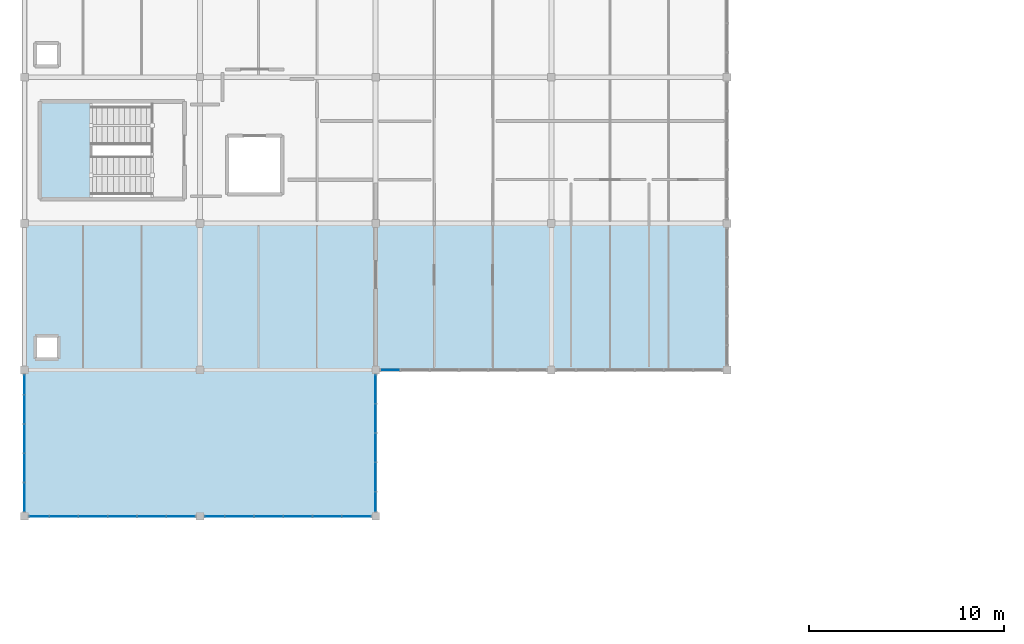
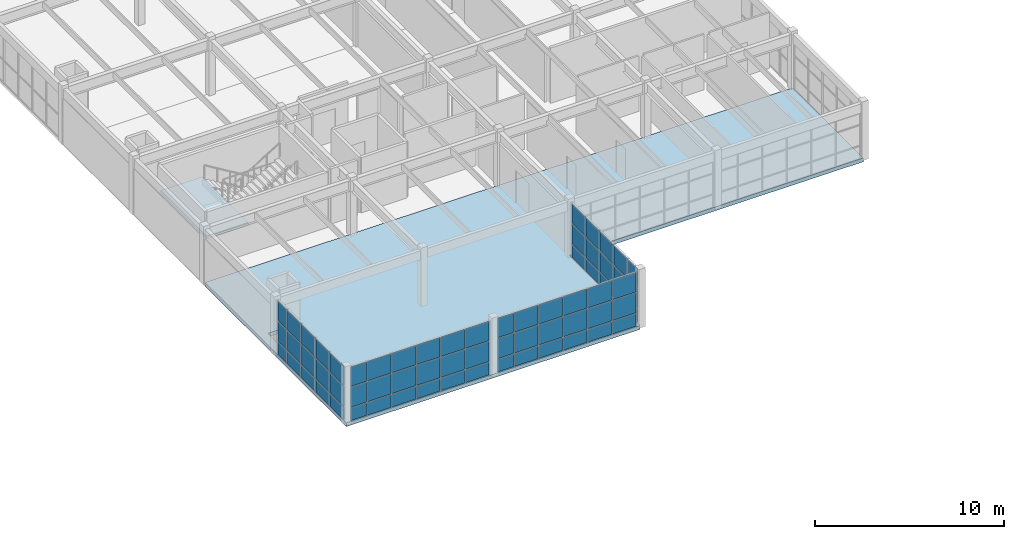
# One storey, part 56 of 81: 67 plates, 2 slabs, 6 elements without a shape of their own.
"""IFC4 building model written with IfcOpenShell, lengths in metres."""

import ifcopenshell
import ifcopenshell.guid

model = None  # the IFC model being written
_history = None  # IfcOwnerHistory: only IFC2X3 demands one
_inside = {}  # id of a spatial element -> (the spatial element, [elements in it])
_under = {}  # id of a project, library or spatial element -> (it, [spatial elements below it])
_declared = {}  # id of a project -> (the project, [libraries it declares])
_typed = {}  # id of a type object -> (the type object, [elements of that type])
_made_of = {}  # id of a material, layer set ... -> (it, [elements and type objects made of it])


def new_model(schema):
    """Start an empty IFC model of exactly this schema.

    Asked for "IFC4X3", IfcOpenShell would pick the latest addendum, in which some entities
    have other attributes; the version numbers below select the first issue.
    IFC2X3 requires an IfcOwnerHistory on every rooted entity: one is made here for all.
    """
    global model, _history
    if schema == "IFC4X3":
        model = ifcopenshell.file(schema_version=(4, 3, 0, 0))
    else:
        model = ifcopenshell.file(schema=schema)
    _inside.clear()
    _under.clear()
    _declared.clear()
    _typed.clear()
    _made_of.clear()
    _history = None
    if model.schema == "IFC2X3":
        org = make("IfcOrganization", Name="unknown")
        user = make(
            "IfcPersonAndOrganization",
            ThePerson=make("IfcPerson", FamilyName="unknown"),
            TheOrganization=org,
        )
        app = make(
            "IfcApplication",
            ApplicationDeveloper=org,
            Version="unknown",
            ApplicationFullName="unknown",
            ApplicationIdentifier="unknown",
        )
        _history = make(
            "IfcOwnerHistory",
            OwningUser=user,
            OwningApplication=app,
            ChangeAction="ADDED",
            CreationDate=0,
        )
    return model


def make(cls, **values):
    """One entity of the class cls with the attributes given. An attribute that is None is left unset."""
    return model.create_entity(
        cls, **{name: value for name, value in values.items() if value is not None}
    )


def rooted(cls, **values):
    """An entity with a GlobalId (a new one), such as an element, a storey or a relation."""
    return make(cls, GlobalId=ifcopenshell.guid.new(), OwnerHistory=_history, **values)


def si_unit(unit_type, name, prefix=None):
    """IfcSIUnit, for example si_unit("LENGTHUNIT", "METRE", prefix="MILLI")."""
    return make("IfcSIUnit", UnitType=unit_type, Prefix=prefix, Name=name)


def assignment(units):
    """IfcUnitAssignment: the units of a project."""
    return None if units is None else make("IfcUnitAssignment", Units=units)


def point(xyz):
    """IfcCartesianPoint."""
    return None if xyz is None else make("IfcCartesianPoint", Coordinates=xyz)


def direction(xyz):
    """IfcDirection."""
    return None if xyz is None else make("IfcDirection", DirectionRatios=xyz)


def frame(location, z_axis=None, x_axis=None):
    """IfcAxis2Placement3D, a coordinate frame: its origin and axes. An axis left out is left unset."""
    return make(
        "IfcAxis2Placement3D",
        Location=point(location),
        Axis=direction(z_axis),
        RefDirection=direction(x_axis),
    )


def frame_2d(location, x_axis=None):
    """IfcAxis2Placement2D, a coordinate frame in the plane: its origin and x axis."""
    return make(
        "IfcAxis2Placement2D", Location=point(location), RefDirection=direction(x_axis)
    )


def origin():
    """The frame at (0, 0, 0) with its axes left unset."""
    return frame((0.0, 0.0, 0.0))


def origin_2d():
    """The frame at (0, 0) in the plane with its x axis left unset."""
    return frame_2d((0.0, 0.0))


def place(relative_to, where):
    """IfcLocalPlacement: puts the frame where relative to a parent placement (None: the world)."""
    return make(
        "IfcLocalPlacement", PlacementRelTo=relative_to, RelativePlacement=where
    )


def context(
    kind, dimensions, precision=None, world=None, true_north=None, identifier=None
):
    """IfcGeometricRepresentationContext, for example the 3D "Model" context."""
    return make(
        "IfcGeometricRepresentationContext",
        ContextIdentifier=identifier,
        ContextType=kind,
        CoordinateSpaceDimension=dimensions,
        Precision=precision,
        WorldCoordinateSystem=world,
        TrueNorth=true_north,
    )


def subcontext(parent, identifier, kind, view, scale=None):
    """IfcGeometricRepresentationSubContext, for example "Body" below "Model"."""
    return make(
        "IfcGeometricRepresentationSubContext",
        ContextIdentifier=identifier,
        ContextType=kind,
        ParentContext=parent,
        TargetScale=scale,
        TargetView=view,
    )


def project(units=None, contexts=None):
    """IfcProject with its units and contexts."""
    return rooted(
        "IfcProject",
        Name="project",
        RepresentationContexts=contexts,
        UnitsInContext=assignment(units),
    )


def spatial(cls, under=None, at=None, **own):
    """A site, building, storey or space (cls), placed at a placement, below another one or the project."""
    s = rooted(cls, ObjectPlacement=at, **own)
    if under is not None:
        _under.setdefault(under.id(), (under, []))[1].append(s)
    return s


def polyline(points):
    """IfcPolyline through the points."""
    return make("IfcPolyline", Points=[point(p) for p in points])


def profile(cls, at=None, kind="AREA", **sizes):
    """A parametric profile (cls). Its sizes go by their IFC names, for example OverallWidth=200.0."""
    return make(cls, ProfileType=kind, Position=at, **sizes)


def rectangle(**sizes):
    """IfcRectangleProfileDef."""
    return profile("IfcRectangleProfileDef", **sizes)


def outline(outer, holes=None, kind="AREA"):
    """IfcArbitraryClosedProfileDef: a profile drawn as a closed curve; with holes, ...WithVoids."""
    if holes is None:
        return make("IfcArbitraryClosedProfileDef", ProfileType=kind, OuterCurve=outer)
    return make(
        "IfcArbitraryProfileDefWithVoids",
        ProfileType=kind,
        OuterCurve=outer,
        InnerCurves=holes,
    )


def extrude(swept, where, along, depth):
    """IfcExtrudedAreaSolid: the profile swept, set in the frame where, extruded along a direction by depth."""
    return make(
        "IfcExtrudedAreaSolid",
        SweptArea=swept,
        Position=where,
        ExtrudedDirection=direction(along),
        Depth=depth,
    )


def shape(context_of_items, identifier, shape_type, items):
    """IfcShapeRepresentation: the items that make up one representation, for example the "Body"."""
    return make(
        "IfcShapeRepresentation",
        ContextOfItems=context_of_items,
        RepresentationIdentifier=identifier,
        RepresentationType=shape_type,
        Items=items,
    )


def material(Name=None, Category=None):
    """IfcMaterial."""
    return make("IfcMaterial", Name=Name, Category=Category)


def layer(
    of_material, thickness, ventilated=None, Name=None, Category=None, Priority=None
):
    """IfcMaterialLayer: one layer of a wall or slab, of a material (None: an air gap)."""
    return make(
        "IfcMaterialLayer",
        Material=of_material,
        LayerThickness=thickness,
        IsVentilated=ventilated,
        Name=Name,
        Category=Category,
        Priority=Priority,
    )


def layer_set(layers, Name=None):
    """IfcMaterialLayerSet."""
    return make("IfcMaterialLayerSet", MaterialLayers=layers, LayerSetName=Name)


def made_of(thing, what):
    """Note that an element or type object is made of a material, layer set ...; save() writes the relation."""
    if what is not None:
        _made_of.setdefault(what.id(), (what, []))[1].append(thing)
    return thing


def type_object(cls, material=None, **own):
    """A type object (cls), such as IfcWallType, which elements share."""
    return made_of(rooted(cls, **own), material)


def element(
    cls,
    number,
    at=None,
    inside=None,
    cuts=None,
    type_object=None,
    material=None,
    context=None,
    identifier="Body",
    shape_type=None,
    held_by="IfcProductDefinitionShape",
    body=None,
    shapes=None,
    **own,
):
    """One element of the class cls, such as IfcWall. Its Tag is "e" and its number.

    at: its placement. inside: the storey or other place that contains it. cuts: it is an
    opening in that element (IfcRelVoidsElement). A single representation is given by context,
    identifier, shape_type and body (its items); several are given by shapes. held_by: the class
    of the entity that holds the representations. save() writes the other relations.
    """
    e = rooted(cls, Tag="e%d" % number, ObjectPlacement=at, **own)
    if body is not None:
        shapes = [shape(context, identifier, shape_type, body)]
    if shapes is not None:
        e.Representation = make(held_by, Representations=shapes)
    if inside is not None:
        _inside.setdefault(inside.id(), (inside, []))[1].append(e)
    if cuts is not None:
        rooted(
            "IfcRelVoidsElement", RelatingBuildingElement=cuts, RelatedOpeningElement=e
        )
    if type_object is not None:
        _typed.setdefault(type_object.id(), (type_object, []))[1].append(e)
    return made_of(e, material)


def aggregate(whole, parts):
    """IfcRelAggregates: a whole, such as a stair, and the parts it consists of."""
    return rooted("IfcRelAggregates", RelatingObject=whole, RelatedObjects=parts)


def save(model, path):
    """Write the relations noted so far, then the file.

    IfcRelAggregates (storeys below a building ...), IfcRelContainedInSpatialStructure (elements
    in a storey), IfcRelDefinesByType, IfcRelAssociatesMaterial and IfcRelDeclares: one each for
    every whole, place, type object, material and project.
    """
    for whole, parts in _under.values():
        aggregate(whole, parts)
    for where, things in _inside.values():
        rooted(
            "IfcRelContainedInSpatialStructure",
            RelatedElements=things,
            RelatingStructure=where,
        )
    for kind, things in _typed.values():
        rooted("IfcRelDefinesByType", RelatedObjects=things, RelatingType=kind)
    for what, things in _made_of.values():
        rooted("IfcRelAssociatesMaterial", RelatedObjects=things, RelatingMaterial=what)
    for by, libraries in _declared.values():
        rooted("IfcRelDeclares", RelatingContext=by, RelatedDefinitions=libraries)
    model.write(path)


model = new_model("IFC4")

# Units and contexts
model_context = context("Model", 3, precision=1e-05, world=origin(), true_north=direction((0.0, 1.0)))
body_context = subcontext(model_context, "Body", "Model", "MODEL_VIEW")
ifc_project = project(units=[si_unit("LENGTHUNIT", "METRE"), si_unit("AREAUNIT", "SQUARE_METRE"), si_unit("VOLUMEUNIT", "CUBIC_METRE"), si_unit("PLANEANGLEUNIT", "RADIAN"), si_unit("MASSUNIT", "GRAM", prefix="KILO")], contexts=[model_context])

# Site, building, storey
site_placement = place(None, origin())
site = spatial("IfcSite", under=ifc_project, at=site_placement, CompositionType="ELEMENT")
building_placement = place(site_placement, origin())
building = spatial("IfcBuilding", under=site, at=building_placement, Name="Marnridge Secondary College", CompositionType="ELEMENT")
storey_placement = place(building_placement, frame((0.0, 0.0, 8.5)))
storey = spatial("IfcBuildingStorey", under=building, at=storey_placement, Name="L02", CompositionType="ELEMENT", Elevation=8.5)

# Curtain wall, plate
ifc_material_1 = material(Name="Thermally broken aluminium and low-E glazing", Category="aluminium")
ifc_layer_1 = layer(ifc_material_1, 0.159912109375)
ifc_layer_set_1 = layer_set([ifc_layer_1], Name="CW-MOD-1500")
curtain_wall_type = type_object("IfcCurtainWallType", Name="CW-MOD-1500", PredefinedType="NOTDEFINED", material=ifc_layer_set_1)
curtain_wall_1_placement = place(storey_placement, origin())
curtain_wall_1 = element("IfcCurtainWall", 1, at=curtain_wall_1_placement, inside=storey, type_object=curtain_wall_type, Name="Unitised curtain wall CW-L02-093", PredefinedType="NOTDEFINED")
ifc_material_2 = material(Name="Double-glazed low-E argon unit", Category="glass")
ifc_layer_2 = layer(ifc_material_2, 0.028076171875)
ifc_layer_set_2 = layer_set([ifc_layer_2], Name="CWP-GLZ28")
plate_type = type_object("IfcPlateType", Name="CWP-GLZ28", PredefinedType="CURTAIN_PANEL", material=ifc_layer_set_2)
plate_1_placement = place(storey_placement, frame((18.75, 82.5, 0.06005859375), z_axis=(0.0, 0.0, 1.0), x_axis=(-1.0, 0.0, 0.0)))
plate_1 = element("IfcPlate", 2, at=plate_1_placement, type_object=plate_type, Name="CW-L02-093 panel 6.1", PredefinedType="CURTAIN_PANEL", context=body_context, shape_type="SweptSolid", body=[
    extrude(rectangle(XDim=0.971923828125, YDim=0.028076171875, at=origin_2d()), origin(), (0.0, 0.0, 1.0), 0.81005859375),
])
aggregate(curtain_wall_1, [plate_1])

# Curtain wall, plates
curtain_wall_2_placement = place(storey_placement, origin())
curtain_wall_2 = element("IfcCurtainWall", 3, at=curtain_wall_2_placement, inside=storey, type_object=curtain_wall_type, Name="Unitised curtain wall CW-L02-094", PredefinedType="NOTDEFINED")
plate_2_placement = place(storey_placement, frame((18.0, 81.51611328125, 0.06005859375), z_axis=(0.0, 0.0, 1.0), x_axis=(0.0, -1.0, 0.0)))
plate_2 = element("IfcPlate", 4, at=plate_2_placement, type_object=plate_type, Name="CW-L02-094 panel 1.1", PredefinedType="CURTAIN_PANEL", context=body_context, shape_type="SweptSolid", body=[
    extrude(rectangle(XDim=1.43994140625, YDim=0.028076171875, at=origin_2d()), origin(), (0.0, 0.0, 1.0), 0.81005859375),
])
plate_3_placement = place(storey_placement, frame((18.0, 81.51611328125, 0.929931640625), z_axis=(0.0, 0.0, 1.0), x_axis=(0.0, -1.0, 0.0)))
plate_3 = element("IfcPlate", 5, at=plate_3_placement, type_object=plate_type, Name="CW-L02-094 panel 1.2", PredefinedType="CURTAIN_PANEL", context=body_context, shape_type="SweptSolid", body=[
    extrude(rectangle(XDim=1.43994140625, YDim=0.028076171875, at=origin_2d()), origin(), (0.0, 0.0, 1.0), 1.2900390625),
])
plate_4_placement = place(storey_placement, frame((18.0, 81.51611328125, 2.27978515625), z_axis=(0.0, 0.0, 1.0), x_axis=(0.0, -1.0, 0.0)))
plate_4 = element("IfcPlate", 6, at=plate_4_placement, type_object=plate_type, Name="CW-L02-094 panel 1.3", PredefinedType="CURTAIN_PANEL", context=body_context, shape_type="SweptSolid", body=[
    extrude(rectangle(XDim=1.43994140625, YDim=0.028076171875, at=origin_2d()), origin(), (0.0, 0.0, 1.0), 1.239990234375),
])
plate_5_placement = place(storey_placement, frame((18.0, 80.01611328125, 0.06005859375), z_axis=(0.0, 0.0, 1.0), x_axis=(0.0, -1.0, 0.0)))
plate_5 = element("IfcPlate", 7, at=plate_5_placement, type_object=plate_type, Name="CW-L02-094 panel 2.1", PredefinedType="CURTAIN_PANEL", context=body_context, shape_type="SweptSolid", body=[
    extrude(rectangle(XDim=1.43994140625, YDim=0.028076171875, at=origin_2d()), origin(), (0.0, 0.0, 1.0), 0.81005859375),
])
plate_6_placement = place(storey_placement, frame((18.0, 80.01611328125, 0.929931640625), z_axis=(0.0, 0.0, 1.0), x_axis=(0.0, -1.0, 0.0)))
plate_6 = element("IfcPlate", 8, at=plate_6_placement, type_object=plate_type, Name="CW-L02-094 panel 2.2", PredefinedType="CURTAIN_PANEL", context=body_context, shape_type="SweptSolid", body=[
    extrude(rectangle(XDim=1.43994140625, YDim=0.028076171875, at=origin_2d()), origin(), (0.0, 0.0, 1.0), 1.2900390625),
])
plate_7_placement = place(storey_placement, frame((18.0, 80.01611328125, 2.27978515625), z_axis=(0.0, 0.0, 1.0), x_axis=(0.0, -1.0, 0.0)))
plate_7 = element("IfcPlate", 9, at=plate_7_placement, type_object=plate_type, Name="CW-L02-094 panel 2.3", PredefinedType="CURTAIN_PANEL", context=body_context, shape_type="SweptSolid", body=[
    extrude(rectangle(XDim=1.43994140625, YDim=0.028076171875, at=origin_2d()), origin(), (0.0, 0.0, 1.0), 1.239990234375),
])
plate_8_placement = place(storey_placement, frame((18.0, 78.51611328125, 0.06005859375), z_axis=(0.0, 0.0, 1.0), x_axis=(0.0, -1.0, 0.0)))
plate_8 = element("IfcPlate", 10, at=plate_8_placement, type_object=plate_type, Name="CW-L02-094 panel 3.1", PredefinedType="CURTAIN_PANEL", context=body_context, shape_type="SweptSolid", body=[
    extrude(rectangle(XDim=1.43994140625, YDim=0.028076171875, at=origin_2d()), origin(), (0.0, 0.0, 1.0), 0.81005859375),
])
plate_9_placement = place(storey_placement, frame((18.0, 78.51611328125, 0.929931640625), z_axis=(0.0, 0.0, 1.0), x_axis=(0.0, -1.0, 0.0)))
plate_9 = element("IfcPlate", 11, at=plate_9_placement, type_object=plate_type, Name="CW-L02-094 panel 3.2", PredefinedType="CURTAIN_PANEL", context=body_context, shape_type="SweptSolid", body=[
    extrude(rectangle(XDim=1.43994140625, YDim=0.028076171875, at=origin_2d()), origin(), (0.0, 0.0, 1.0), 1.2900390625),
])
plate_10_placement = place(storey_placement, frame((18.0, 78.51611328125, 2.27978515625), z_axis=(0.0, 0.0, 1.0), x_axis=(0.0, -1.0, 0.0)))
plate_10 = element("IfcPlate", 12, at=plate_10_placement, type_object=plate_type, Name="CW-L02-094 panel 3.3", PredefinedType="CURTAIN_PANEL", context=body_context, shape_type="SweptSolid", body=[
    extrude(rectangle(XDim=1.43994140625, YDim=0.028076171875, at=origin_2d()), origin(), (0.0, 0.0, 1.0), 1.239990234375),
])
plate_11_placement = place(storey_placement, frame((18.0, 77.01611328125, 0.06005859375), z_axis=(0.0, 0.0, 1.0), x_axis=(0.0, -1.0, 0.0)))
plate_11 = element("IfcPlate", 13, at=plate_11_placement, type_object=plate_type, Name="CW-L02-094 panel 4.1", PredefinedType="CURTAIN_PANEL", context=body_context, shape_type="SweptSolid", body=[
    extrude(rectangle(XDim=1.43994140625, YDim=0.028076171875, at=origin_2d()), origin(), (0.0, 0.0, 1.0), 0.81005859375),
])
plate_12_placement = place(storey_placement, frame((18.0, 77.01611328125, 0.929931640625), z_axis=(0.0, 0.0, 1.0), x_axis=(0.0, -1.0, 0.0)))
plate_12 = element("IfcPlate", 14, at=plate_12_placement, type_object=plate_type, Name="CW-L02-094 panel 4.2", PredefinedType="CURTAIN_PANEL", context=body_context, shape_type="SweptSolid", body=[
    extrude(rectangle(XDim=1.43994140625, YDim=0.028076171875, at=origin_2d()), origin(), (0.0, 0.0, 1.0), 1.2900390625),
])
plate_13_placement = place(storey_placement, frame((18.0, 77.01611328125, 2.27978515625), z_axis=(0.0, 0.0, 1.0), x_axis=(0.0, -1.0, 0.0)))
plate_13 = element("IfcPlate", 15, at=plate_13_placement, type_object=plate_type, Name="CW-L02-094 panel 4.3", PredefinedType="CURTAIN_PANEL", context=body_context, shape_type="SweptSolid", body=[
    extrude(rectangle(XDim=1.43994140625, YDim=0.028076171875, at=origin_2d()), origin(), (0.0, 0.0, 1.0), 1.239990234375),
])
plate_14_placement = place(storey_placement, frame((18.0, 75.75, 0.06005859375), z_axis=(0.0, 0.0, 1.0), x_axis=(0.0, -1.0, 0.0)))
plate_14 = element("IfcPlate", 16, at=plate_14_placement, type_object=plate_type, Name="CW-L02-094 panel 5.1", PredefinedType="CURTAIN_PANEL", context=body_context, shape_type="SweptSolid", body=[
    extrude(rectangle(XDim=0.971923828125, YDim=0.028076171875, at=origin_2d()), origin(), (0.0, 0.0, 1.0), 0.81005859375),
])
plate_15_placement = place(storey_placement, frame((18.0, 75.75, 0.929931640625), z_axis=(0.0, 0.0, 1.0), x_axis=(0.0, -1.0, 0.0)))
plate_15 = element("IfcPlate", 17, at=plate_15_placement, type_object=plate_type, Name="CW-L02-094 panel 5.2", PredefinedType="CURTAIN_PANEL", context=body_context, shape_type="SweptSolid", body=[
    extrude(rectangle(XDim=0.971923828125, YDim=0.028076171875, at=origin_2d()), origin(), (0.0, 0.0, 1.0), 1.2900390625),
])
plate_16_placement = place(storey_placement, frame((18.0, 75.75, 2.27978515625), z_axis=(0.0, 0.0, 1.0), x_axis=(0.0, -1.0, 0.0)))
plate_16 = element("IfcPlate", 18, at=plate_16_placement, type_object=plate_type, Name="CW-L02-094 panel 5.3", PredefinedType="CURTAIN_PANEL", context=body_context, shape_type="SweptSolid", body=[
    extrude(rectangle(XDim=0.971923828125, YDim=0.028076171875, at=origin_2d()), origin(), (0.0, 0.0, 1.0), 1.239990234375),
])
aggregate(curtain_wall_2, [plate_2, plate_3, plate_4, plate_5, plate_6, plate_7, plate_8, plate_9, plate_10, plate_11, plate_12, plate_13, plate_14, plate_15, plate_16])

curtain_wall_3_placement = place(storey_placement, origin())
curtain_wall_3 = element("IfcCurtainWall", 19, at=curtain_wall_3_placement, inside=storey, type_object=curtain_wall_type, Name="Unitised curtain wall CW-L02-095", PredefinedType="NOTDEFINED")
plate_17_placement = place(storey_placement, frame((17.01611328125, 75.0, 0.06005859375), z_axis=(0.0, 0.0, 1.0), x_axis=(-1.0, 0.0, 0.0)))
plate_17 = element("IfcPlate", 20, at=plate_17_placement, type_object=plate_type, Name="CW-L02-095 panel 1.1", PredefinedType="CURTAIN_PANEL", context=body_context, shape_type="SweptSolid", body=[
    extrude(rectangle(XDim=1.43994140625, YDim=0.028076171875, at=origin_2d()), origin(), (0.0, 0.0, 1.0), 0.81005859375),
])
plate_18_placement = place(storey_placement, frame((17.01611328125, 75.0, 0.929931640625), z_axis=(0.0, 0.0, 1.0), x_axis=(-1.0, 0.0, 0.0)))
plate_18 = element("IfcPlate", 21, at=plate_18_placement, type_object=plate_type, Name="CW-L02-095 panel 1.2", PredefinedType="CURTAIN_PANEL", context=body_context, shape_type="SweptSolid", body=[
    extrude(rectangle(XDim=1.43994140625, YDim=0.028076171875, at=origin_2d()), origin(), (0.0, 0.0, 1.0), 1.2900390625),
])
plate_19_placement = place(storey_placement, frame((17.01611328125, 75.0, 2.27978515625), z_axis=(0.0, 0.0, 1.0), x_axis=(-1.0, 0.0, 0.0)))
plate_19 = element("IfcPlate", 22, at=plate_19_placement, type_object=plate_type, Name="CW-L02-095 panel 1.3", PredefinedType="CURTAIN_PANEL", context=body_context, shape_type="SweptSolid", body=[
    extrude(rectangle(XDim=1.43994140625, YDim=0.028076171875, at=origin_2d()), origin(), (0.0, 0.0, 1.0), 1.239990234375),
])
plate_20_placement = place(storey_placement, frame((15.51611328125, 75.0, 0.06005859375), z_axis=(0.0, 0.0, 1.0), x_axis=(-1.0, 0.0, 0.0)))
plate_20 = element("IfcPlate", 23, at=plate_20_placement, type_object=plate_type, Name="CW-L02-095 panel 2.1", PredefinedType="CURTAIN_PANEL", context=body_context, shape_type="SweptSolid", body=[
    extrude(rectangle(XDim=1.43994140625, YDim=0.028076171875, at=origin_2d()), origin(), (0.0, 0.0, 1.0), 0.81005859375),
])
plate_21_placement = place(storey_placement, frame((15.51611328125, 75.0, 0.929931640625), z_axis=(0.0, 0.0, 1.0), x_axis=(-1.0, 0.0, 0.0)))
plate_21 = element("IfcPlate", 24, at=plate_21_placement, type_object=plate_type, Name="CW-L02-095 panel 2.2", PredefinedType="CURTAIN_PANEL", context=body_context, shape_type="SweptSolid", body=[
    extrude(rectangle(XDim=1.43994140625, YDim=0.028076171875, at=origin_2d()), origin(), (0.0, 0.0, 1.0), 1.2900390625),
])
plate_22_placement = place(storey_placement, frame((15.51611328125, 75.0, 2.27978515625), z_axis=(0.0, 0.0, 1.0), x_axis=(-1.0, 0.0, 0.0)))
plate_22 = element("IfcPlate", 25, at=plate_22_placement, type_object=plate_type, Name="CW-L02-095 panel 2.3", PredefinedType="CURTAIN_PANEL", context=body_context, shape_type="SweptSolid", body=[
    extrude(rectangle(XDim=1.43994140625, YDim=0.028076171875, at=origin_2d()), origin(), (0.0, 0.0, 1.0), 1.239990234375),
])
plate_23_placement = place(storey_placement, frame((14.01611328125, 75.0, 0.06005859375), z_axis=(0.0, 0.0, 1.0), x_axis=(-1.0, 0.0, 0.0)))
plate_23 = element("IfcPlate", 26, at=plate_23_placement, type_object=plate_type, Name="CW-L02-095 panel 3.1", PredefinedType="CURTAIN_PANEL", context=body_context, shape_type="SweptSolid", body=[
    extrude(rectangle(XDim=1.43994140625, YDim=0.028076171875, at=origin_2d()), origin(), (0.0, 0.0, 1.0), 0.81005859375),
])
plate_24_placement = place(storey_placement, frame((14.01611328125, 75.0, 0.929931640625), z_axis=(0.0, 0.0, 1.0), x_axis=(-1.0, 0.0, 0.0)))
plate_24 = element("IfcPlate", 27, at=plate_24_placement, type_object=plate_type, Name="CW-L02-095 panel 3.2", PredefinedType="CURTAIN_PANEL", context=body_context, shape_type="SweptSolid", body=[
    extrude(rectangle(XDim=1.43994140625, YDim=0.028076171875, at=origin_2d()), origin(), (0.0, 0.0, 1.0), 1.2900390625),
])
plate_25_placement = place(storey_placement, frame((14.01611328125, 75.0, 2.27978515625), z_axis=(0.0, 0.0, 1.0), x_axis=(-1.0, 0.0, 0.0)))
plate_25 = element("IfcPlate", 28, at=plate_25_placement, type_object=plate_type, Name="CW-L02-095 panel 3.3", PredefinedType="CURTAIN_PANEL", context=body_context, shape_type="SweptSolid", body=[
    extrude(rectangle(XDim=1.43994140625, YDim=0.028076171875, at=origin_2d()), origin(), (0.0, 0.0, 1.0), 1.239990234375),
])
plate_26_placement = place(storey_placement, frame((12.51611328125, 75.0, 0.06005859375), z_axis=(0.0, 0.0, 1.0), x_axis=(-1.0, 0.0, 0.0)))
plate_26 = element("IfcPlate", 29, at=plate_26_placement, type_object=plate_type, Name="CW-L02-095 panel 4.1", PredefinedType="CURTAIN_PANEL", context=body_context, shape_type="SweptSolid", body=[
    extrude(rectangle(XDim=1.43994140625, YDim=0.028076171875, at=origin_2d()), origin(), (0.0, 0.0, 1.0), 0.81005859375),
])
plate_27_placement = place(storey_placement, frame((12.51611328125, 75.0, 0.929931640625), z_axis=(0.0, 0.0, 1.0), x_axis=(-1.0, 0.0, 0.0)))
plate_27 = element("IfcPlate", 30, at=plate_27_placement, type_object=plate_type, Name="CW-L02-095 panel 4.2", PredefinedType="CURTAIN_PANEL", context=body_context, shape_type="SweptSolid", body=[
    extrude(rectangle(XDim=1.43994140625, YDim=0.028076171875, at=origin_2d()), origin(), (0.0, 0.0, 1.0), 1.2900390625),
])
plate_28_placement = place(storey_placement, frame((12.51611328125, 75.0, 2.27978515625), z_axis=(0.0, 0.0, 1.0), x_axis=(-1.0, 0.0, 0.0)))
plate_28 = element("IfcPlate", 31, at=plate_28_placement, type_object=plate_type, Name="CW-L02-095 panel 4.3", PredefinedType="CURTAIN_PANEL", context=body_context, shape_type="SweptSolid", body=[
    extrude(rectangle(XDim=1.43994140625, YDim=0.028076171875, at=origin_2d()), origin(), (0.0, 0.0, 1.0), 1.239990234375),
])
plate_29_placement = place(storey_placement, frame((11.01611328125, 75.0, 0.06005859375), z_axis=(0.0, 0.0, 1.0), x_axis=(-1.0, 0.0, 0.0)))
plate_29 = element("IfcPlate", 32, at=plate_29_placement, type_object=plate_type, Name="CW-L02-095 panel 5.1", PredefinedType="CURTAIN_PANEL", context=body_context, shape_type="SweptSolid", body=[
    extrude(rectangle(XDim=1.43994140625, YDim=0.028076171875, at=origin_2d()), origin(), (0.0, 0.0, 1.0), 0.81005859375),
])
plate_30_placement = place(storey_placement, frame((11.01611328125, 75.0, 0.929931640625), z_axis=(0.0, 0.0, 1.0), x_axis=(-1.0, 0.0, 0.0)))
plate_30 = element("IfcPlate", 33, at=plate_30_placement, type_object=plate_type, Name="CW-L02-095 panel 5.2", PredefinedType="CURTAIN_PANEL", context=body_context, shape_type="SweptSolid", body=[
    extrude(rectangle(XDim=1.43994140625, YDim=0.028076171875, at=origin_2d()), origin(), (0.0, 0.0, 1.0), 1.2900390625),
])
plate_31_placement = place(storey_placement, frame((11.01611328125, 75.0, 2.27978515625), z_axis=(0.0, 0.0, 1.0), x_axis=(-1.0, 0.0, 0.0)))
plate_31 = element("IfcPlate", 34, at=plate_31_placement, type_object=plate_type, Name="CW-L02-095 panel 5.3", PredefinedType="CURTAIN_PANEL", context=body_context, shape_type="SweptSolid", body=[
    extrude(rectangle(XDim=1.43994140625, YDim=0.028076171875, at=origin_2d()), origin(), (0.0, 0.0, 1.0), 1.239990234375),
])
plate_32_placement = place(storey_placement, frame((9.75, 75.0, 0.06005859375), z_axis=(0.0, 0.0, 1.0), x_axis=(-1.0, 0.0, 0.0)))
plate_32 = element("IfcPlate", 35, at=plate_32_placement, type_object=plate_type, Name="CW-L02-095 panel 6.1", PredefinedType="CURTAIN_PANEL", context=body_context, shape_type="SweptSolid", body=[
    extrude(rectangle(XDim=0.971923828125, YDim=0.028076171875, at=origin_2d()), origin(), (0.0, 0.0, 1.0), 0.81005859375),
])
plate_33_placement = place(storey_placement, frame((9.75, 75.0, 0.929931640625), z_axis=(0.0, 0.0, 1.0), x_axis=(-1.0, 0.0, 0.0)))
plate_33 = element("IfcPlate", 36, at=plate_33_placement, type_object=plate_type, Name="CW-L02-095 panel 6.2", PredefinedType="CURTAIN_PANEL", context=body_context, shape_type="SweptSolid", body=[
    extrude(rectangle(XDim=0.971923828125, YDim=0.028076171875, at=origin_2d()), origin(), (0.0, 0.0, 1.0), 1.2900390625),
])
plate_34_placement = place(storey_placement, frame((9.75, 75.0, 2.27978515625), z_axis=(0.0, 0.0, 1.0), x_axis=(-1.0, 0.0, 0.0)))
plate_34 = element("IfcPlate", 37, at=plate_34_placement, type_object=plate_type, Name="CW-L02-095 panel 6.3", PredefinedType="CURTAIN_PANEL", context=body_context, shape_type="SweptSolid", body=[
    extrude(rectangle(XDim=0.971923828125, YDim=0.028076171875, at=origin_2d()), origin(), (0.0, 0.0, 1.0), 1.239990234375),
])
aggregate(curtain_wall_3, [plate_17, plate_18, plate_19, plate_20, plate_21, plate_22, plate_23, plate_24, plate_25, plate_26, plate_27, plate_28, plate_29, plate_30, plate_31, plate_32, plate_33, plate_34])

curtain_wall_4_placement = place(storey_placement, origin())
curtain_wall_4 = element("IfcCurtainWall", 38, at=curtain_wall_4_placement, inside=storey, type_object=curtain_wall_type, Name="Unitised curtain wall CW-L02-096", PredefinedType="NOTDEFINED")
plate_35_placement = place(storey_placement, frame((8.01611328125, 75.0, 0.06005859375), z_axis=(0.0, 0.0, 1.0), x_axis=(-1.0, 0.0, 0.0)))
plate_35 = element("IfcPlate", 39, at=plate_35_placement, type_object=plate_type, Name="CW-L02-096 panel 1.1", PredefinedType="CURTAIN_PANEL", context=body_context, shape_type="SweptSolid", body=[
    extrude(rectangle(XDim=1.43994140625, YDim=0.028076171875, at=origin_2d()), origin(), (0.0, 0.0, 1.0), 0.81005859375),
])
plate_36_placement = place(storey_placement, frame((8.01611328125, 75.0, 0.929931640625), z_axis=(0.0, 0.0, 1.0), x_axis=(-1.0, 0.0, 0.0)))
plate_36 = element("IfcPlate", 40, at=plate_36_placement, type_object=plate_type, Name="CW-L02-096 panel 1.2", PredefinedType="CURTAIN_PANEL", context=body_context, shape_type="SweptSolid", body=[
    extrude(rectangle(XDim=1.43994140625, YDim=0.028076171875, at=origin_2d()), origin(), (0.0, 0.0, 1.0), 1.2900390625),
])
plate_37_placement = place(storey_placement, frame((8.01611328125, 75.0, 2.27978515625), z_axis=(0.0, 0.0, 1.0), x_axis=(-1.0, 0.0, 0.0)))
plate_37 = element("IfcPlate", 41, at=plate_37_placement, type_object=plate_type, Name="CW-L02-096 panel 1.3", PredefinedType="CURTAIN_PANEL", context=body_context, shape_type="SweptSolid", body=[
    extrude(rectangle(XDim=1.43994140625, YDim=0.028076171875, at=origin_2d()), origin(), (0.0, 0.0, 1.0), 1.239990234375),
])
plate_38_placement = place(storey_placement, frame((6.51611328125, 75.0, 0.06005859375), z_axis=(0.0, 0.0, 1.0), x_axis=(-1.0, 0.0, 0.0)))
plate_38 = element("IfcPlate", 42, at=plate_38_placement, type_object=plate_type, Name="CW-L02-096 panel 2.1", PredefinedType="CURTAIN_PANEL", context=body_context, shape_type="SweptSolid", body=[
    extrude(rectangle(XDim=1.43994140625, YDim=0.028076171875, at=origin_2d()), origin(), (0.0, 0.0, 1.0), 0.81005859375),
])
plate_39_placement = place(storey_placement, frame((6.51611328125, 75.0, 0.929931640625), z_axis=(0.0, 0.0, 1.0), x_axis=(-1.0, 0.0, 0.0)))
plate_39 = element("IfcPlate", 43, at=plate_39_placement, type_object=plate_type, Name="CW-L02-096 panel 2.2", PredefinedType="CURTAIN_PANEL", context=body_context, shape_type="SweptSolid", body=[
    extrude(rectangle(XDim=1.43994140625, YDim=0.028076171875, at=origin_2d()), origin(), (0.0, 0.0, 1.0), 1.2900390625),
])
plate_40_placement = place(storey_placement, frame((6.51611328125, 75.0, 2.27978515625), z_axis=(0.0, 0.0, 1.0), x_axis=(-1.0, 0.0, 0.0)))
plate_40 = element("IfcPlate", 44, at=plate_40_placement, type_object=plate_type, Name="CW-L02-096 panel 2.3", PredefinedType="CURTAIN_PANEL", context=body_context, shape_type="SweptSolid", body=[
    extrude(rectangle(XDim=1.43994140625, YDim=0.028076171875, at=origin_2d()), origin(), (0.0, 0.0, 1.0), 1.239990234375),
])
plate_41_placement = place(storey_placement, frame((5.01611328125, 75.0, 0.06005859375), z_axis=(0.0, 0.0, 1.0), x_axis=(-1.0, 0.0, 0.0)))
plate_41 = element("IfcPlate", 45, at=plate_41_placement, type_object=plate_type, Name="CW-L02-096 panel 3.1", PredefinedType="CURTAIN_PANEL", context=body_context, shape_type="SweptSolid", body=[
    extrude(rectangle(XDim=1.43994140625, YDim=0.028076171875, at=origin_2d()), origin(), (0.0, 0.0, 1.0), 0.81005859375),
])
plate_42_placement = place(storey_placement, frame((5.01611328125, 75.0, 0.929931640625), z_axis=(0.0, 0.0, 1.0), x_axis=(-1.0, 0.0, 0.0)))
plate_42 = element("IfcPlate", 46, at=plate_42_placement, type_object=plate_type, Name="CW-L02-096 panel 3.2", PredefinedType="CURTAIN_PANEL", context=body_context, shape_type="SweptSolid", body=[
    extrude(rectangle(XDim=1.43994140625, YDim=0.028076171875, at=origin_2d()), origin(), (0.0, 0.0, 1.0), 1.2900390625),
])
plate_43_placement = place(storey_placement, frame((5.01611328125, 75.0, 2.27978515625), z_axis=(0.0, 0.0, 1.0), x_axis=(-1.0, 0.0, 0.0)))
plate_43 = element("IfcPlate", 47, at=plate_43_placement, type_object=plate_type, Name="CW-L02-096 panel 3.3", PredefinedType="CURTAIN_PANEL", context=body_context, shape_type="SweptSolid", body=[
    extrude(rectangle(XDim=1.43994140625, YDim=0.028076171875, at=origin_2d()), origin(), (0.0, 0.0, 1.0), 1.239990234375),
])
plate_44_placement = place(storey_placement, frame((3.51611328125, 75.0, 0.06005859375), z_axis=(0.0, 0.0, 1.0), x_axis=(-1.0, 0.0, 0.0)))
plate_44 = element("IfcPlate", 48, at=plate_44_placement, type_object=plate_type, Name="CW-L02-096 panel 4.1", PredefinedType="CURTAIN_PANEL", context=body_context, shape_type="SweptSolid", body=[
    extrude(rectangle(XDim=1.43994140625, YDim=0.028076171875, at=origin_2d()), origin(), (0.0, 0.0, 1.0), 0.81005859375),
])
plate_45_placement = place(storey_placement, frame((3.51611328125, 75.0, 0.929931640625), z_axis=(0.0, 0.0, 1.0), x_axis=(-1.0, 0.0, 0.0)))
plate_45 = element("IfcPlate", 49, at=plate_45_placement, type_object=plate_type, Name="CW-L02-096 panel 4.2", PredefinedType="CURTAIN_PANEL", context=body_context, shape_type="SweptSolid", body=[
    extrude(rectangle(XDim=1.43994140625, YDim=0.028076171875, at=origin_2d()), origin(), (0.0, 0.0, 1.0), 1.2900390625),
])
plate_46_placement = place(storey_placement, frame((3.51611328125, 75.0, 2.27978515625), z_axis=(0.0, 0.0, 1.0), x_axis=(-1.0, 0.0, 0.0)))
plate_46 = element("IfcPlate", 50, at=plate_46_placement, type_object=plate_type, Name="CW-L02-096 panel 4.3", PredefinedType="CURTAIN_PANEL", context=body_context, shape_type="SweptSolid", body=[
    extrude(rectangle(XDim=1.43994140625, YDim=0.028076171875, at=origin_2d()), origin(), (0.0, 0.0, 1.0), 1.239990234375),
])
plate_47_placement = place(storey_placement, frame((2.01611328125, 75.0, 0.06005859375), z_axis=(0.0, 0.0, 1.0), x_axis=(-1.0, 0.0, 0.0)))
plate_47 = element("IfcPlate", 51, at=plate_47_placement, type_object=plate_type, Name="CW-L02-096 panel 5.1", PredefinedType="CURTAIN_PANEL", context=body_context, shape_type="SweptSolid", body=[
    extrude(rectangle(XDim=1.43994140625, YDim=0.028076171875, at=origin_2d()), origin(), (0.0, 0.0, 1.0), 0.81005859375),
])
plate_48_placement = place(storey_placement, frame((2.01611328125, 75.0, 0.929931640625), z_axis=(0.0, 0.0, 1.0), x_axis=(-1.0, 0.0, 0.0)))
plate_48 = element("IfcPlate", 52, at=plate_48_placement, type_object=plate_type, Name="CW-L02-096 panel 5.2", PredefinedType="CURTAIN_PANEL", context=body_context, shape_type="SweptSolid", body=[
    extrude(rectangle(XDim=1.43994140625, YDim=0.028076171875, at=origin_2d()), origin(), (0.0, 0.0, 1.0), 1.2900390625),
])
plate_49_placement = place(storey_placement, frame((2.01611328125, 75.0, 2.27978515625), z_axis=(0.0, 0.0, 1.0), x_axis=(-1.0, 0.0, 0.0)))
plate_49 = element("IfcPlate", 53, at=plate_49_placement, type_object=plate_type, Name="CW-L02-096 panel 5.3", PredefinedType="CURTAIN_PANEL", context=body_context, shape_type="SweptSolid", body=[
    extrude(rectangle(XDim=1.43994140625, YDim=0.028076171875, at=origin_2d()), origin(), (0.0, 0.0, 1.0), 1.239990234375),
])
plate_50_placement = place(storey_placement, frame((0.75, 75.0, 0.06005859375), z_axis=(0.0, 0.0, 1.0), x_axis=(-1.0, 0.0, 0.0)))
plate_50 = element("IfcPlate", 54, at=plate_50_placement, type_object=plate_type, Name="CW-L02-096 panel 6.1", PredefinedType="CURTAIN_PANEL", context=body_context, shape_type="SweptSolid", body=[
    extrude(rectangle(XDim=0.971923828125, YDim=0.028076171875, at=origin_2d()), origin(), (0.0, 0.0, 1.0), 0.81005859375),
])
plate_51_placement = place(storey_placement, frame((0.75, 75.0, 0.929931640625), z_axis=(0.0, 0.0, 1.0), x_axis=(-1.0, 0.0, 0.0)))
plate_51 = element("IfcPlate", 55, at=plate_51_placement, type_object=plate_type, Name="CW-L02-096 panel 6.2", PredefinedType="CURTAIN_PANEL", context=body_context, shape_type="SweptSolid", body=[
    extrude(rectangle(XDim=0.971923828125, YDim=0.028076171875, at=origin_2d()), origin(), (0.0, 0.0, 1.0), 1.2900390625),
])
plate_52_placement = place(storey_placement, frame((0.75, 75.0, 2.27978515625), z_axis=(0.0, 0.0, 1.0), x_axis=(-1.0, 0.0, 0.0)))
plate_52 = element("IfcPlate", 56, at=plate_52_placement, type_object=plate_type, Name="CW-L02-096 panel 6.3", PredefinedType="CURTAIN_PANEL", context=body_context, shape_type="SweptSolid", body=[
    extrude(rectangle(XDim=0.971923828125, YDim=0.028076171875, at=origin_2d()), origin(), (0.0, 0.0, 1.0), 1.239990234375),
])
aggregate(curtain_wall_4, [plate_35, plate_36, plate_37, plate_38, plate_39, plate_40, plate_41, plate_42, plate_43, plate_44, plate_45, plate_46, plate_47, plate_48, plate_49, plate_50, plate_51, plate_52])

curtain_wall_5_placement = place(storey_placement, origin())
curtain_wall_5 = element("IfcCurtainWall", 57, at=curtain_wall_5_placement, inside=storey, type_object=curtain_wall_type, Name="Unitised curtain wall CW-L02-097", PredefinedType="NOTDEFINED")
plate_53_placement = place(storey_placement, frame((0.0, 75.98388671875, 0.06005859375), z_axis=(0.0, 0.0, 1.0), x_axis=(0.0, 1.0, 0.0)))
plate_53 = element("IfcPlate", 58, at=plate_53_placement, type_object=plate_type, Name="CW-L02-097 panel 1.1", PredefinedType="CURTAIN_PANEL", context=body_context, shape_type="SweptSolid", body=[
    extrude(rectangle(XDim=1.43994140625, YDim=0.028076171875, at=origin_2d()), origin(), (0.0, 0.0, 1.0), 0.81005859375),
])
plate_54_placement = place(storey_placement, frame((0.0, 75.98388671875, 0.929931640625), z_axis=(0.0, 0.0, 1.0), x_axis=(0.0, 1.0, 0.0)))
plate_54 = element("IfcPlate", 59, at=plate_54_placement, type_object=plate_type, Name="CW-L02-097 panel 1.2", PredefinedType="CURTAIN_PANEL", context=body_context, shape_type="SweptSolid", body=[
    extrude(rectangle(XDim=1.43994140625, YDim=0.028076171875, at=origin_2d()), origin(), (0.0, 0.0, 1.0), 1.2900390625),
])
plate_55_placement = place(storey_placement, frame((0.0, 75.98388671875, 2.27978515625), z_axis=(0.0, 0.0, 1.0), x_axis=(0.0, 1.0, 0.0)))
plate_55 = element("IfcPlate", 60, at=plate_55_placement, type_object=plate_type, Name="CW-L02-097 panel 1.3", PredefinedType="CURTAIN_PANEL", context=body_context, shape_type="SweptSolid", body=[
    extrude(rectangle(XDim=1.43994140625, YDim=0.028076171875, at=origin_2d()), origin(), (0.0, 0.0, 1.0), 1.239990234375),
])
plate_56_placement = place(storey_placement, frame((0.0, 77.48388671875, 0.06005859375), z_axis=(0.0, 0.0, 1.0), x_axis=(0.0, 1.0, 0.0)))
plate_56 = element("IfcPlate", 61, at=plate_56_placement, type_object=plate_type, Name="CW-L02-097 panel 2.1", PredefinedType="CURTAIN_PANEL", context=body_context, shape_type="SweptSolid", body=[
    extrude(rectangle(XDim=1.43994140625, YDim=0.028076171875, at=origin_2d()), origin(), (0.0, 0.0, 1.0), 0.81005859375),
])
plate_57_placement = place(storey_placement, frame((0.0, 77.48388671875, 0.929931640625), z_axis=(0.0, 0.0, 1.0), x_axis=(0.0, 1.0, 0.0)))
plate_57 = element("IfcPlate", 62, at=plate_57_placement, type_object=plate_type, Name="CW-L02-097 panel 2.2", PredefinedType="CURTAIN_PANEL", context=body_context, shape_type="SweptSolid", body=[
    extrude(rectangle(XDim=1.43994140625, YDim=0.028076171875, at=origin_2d()), origin(), (0.0, 0.0, 1.0), 1.2900390625),
])
plate_58_placement = place(storey_placement, frame((0.0, 77.48388671875, 2.27978515625), z_axis=(0.0, 0.0, 1.0), x_axis=(0.0, 1.0, 0.0)))
plate_58 = element("IfcPlate", 63, at=plate_58_placement, type_object=plate_type, Name="CW-L02-097 panel 2.3", PredefinedType="CURTAIN_PANEL", context=body_context, shape_type="SweptSolid", body=[
    extrude(rectangle(XDim=1.43994140625, YDim=0.028076171875, at=origin_2d()), origin(), (0.0, 0.0, 1.0), 1.239990234375),
])
plate_59_placement = place(storey_placement, frame((0.0, 78.98388671875, 0.06005859375), z_axis=(0.0, 0.0, 1.0), x_axis=(0.0, 1.0, 0.0)))
plate_59 = element("IfcPlate", 64, at=plate_59_placement, type_object=plate_type, Name="CW-L02-097 panel 3.1", PredefinedType="CURTAIN_PANEL", context=body_context, shape_type="SweptSolid", body=[
    extrude(rectangle(XDim=1.43994140625, YDim=0.028076171875, at=origin_2d()), origin(), (0.0, 0.0, 1.0), 0.81005859375),
])
plate_60_placement = place(storey_placement, frame((0.0, 78.98388671875, 0.929931640625), z_axis=(0.0, 0.0, 1.0), x_axis=(0.0, 1.0, 0.0)))
plate_60 = element("IfcPlate", 65, at=plate_60_placement, type_object=plate_type, Name="CW-L02-097 panel 3.2", PredefinedType="CURTAIN_PANEL", context=body_context, shape_type="SweptSolid", body=[
    extrude(rectangle(XDim=1.43994140625, YDim=0.028076171875, at=origin_2d()), origin(), (0.0, 0.0, 1.0), 1.2900390625),
])
plate_61_placement = place(storey_placement, frame((0.0, 78.98388671875, 2.27978515625), z_axis=(0.0, 0.0, 1.0), x_axis=(0.0, 1.0, 0.0)))
plate_61 = element("IfcPlate", 66, at=plate_61_placement, type_object=plate_type, Name="CW-L02-097 panel 3.3", PredefinedType="CURTAIN_PANEL", context=body_context, shape_type="SweptSolid", body=[
    extrude(rectangle(XDim=1.43994140625, YDim=0.028076171875, at=origin_2d()), origin(), (0.0, 0.0, 1.0), 1.239990234375),
])
plate_62_placement = place(storey_placement, frame((0.0, 80.48388671875, 0.06005859375), z_axis=(0.0, 0.0, 1.0), x_axis=(0.0, 1.0, 0.0)))
plate_62 = element("IfcPlate", 67, at=plate_62_placement, type_object=plate_type, Name="CW-L02-097 panel 4.1", PredefinedType="CURTAIN_PANEL", context=body_context, shape_type="SweptSolid", body=[
    extrude(rectangle(XDim=1.43994140625, YDim=0.028076171875, at=origin_2d()), origin(), (0.0, 0.0, 1.0), 0.81005859375),
])
plate_63_placement = place(storey_placement, frame((0.0, 80.48388671875, 0.929931640625), z_axis=(0.0, 0.0, 1.0), x_axis=(0.0, 1.0, 0.0)))
plate_63 = element("IfcPlate", 68, at=plate_63_placement, type_object=plate_type, Name="CW-L02-097 panel 4.2", PredefinedType="CURTAIN_PANEL", context=body_context, shape_type="SweptSolid", body=[
    extrude(rectangle(XDim=1.43994140625, YDim=0.028076171875, at=origin_2d()), origin(), (0.0, 0.0, 1.0), 1.2900390625),
])
plate_64_placement = place(storey_placement, frame((0.0, 80.48388671875, 2.27978515625), z_axis=(0.0, 0.0, 1.0), x_axis=(0.0, 1.0, 0.0)))
plate_64 = element("IfcPlate", 69, at=plate_64_placement, type_object=plate_type, Name="CW-L02-097 panel 4.3", PredefinedType="CURTAIN_PANEL", context=body_context, shape_type="SweptSolid", body=[
    extrude(rectangle(XDim=1.43994140625, YDim=0.028076171875, at=origin_2d()), origin(), (0.0, 0.0, 1.0), 1.239990234375),
])
plate_65_placement = place(storey_placement, frame((0.0, 81.75, 0.06005859375), z_axis=(0.0, 0.0, 1.0), x_axis=(0.0, 1.0, 0.0)))
plate_65 = element("IfcPlate", 70, at=plate_65_placement, type_object=plate_type, Name="CW-L02-097 panel 5.1", PredefinedType="CURTAIN_PANEL", context=body_context, shape_type="SweptSolid", body=[
    extrude(rectangle(XDim=0.971923828125, YDim=0.028076171875, at=origin_2d()), origin(), (0.0, 0.0, 1.0), 0.81005859375),
])
plate_66_placement = place(storey_placement, frame((0.0, 81.75, 0.929931640625), z_axis=(0.0, 0.0, 1.0), x_axis=(0.0, 1.0, 0.0)))
plate_66 = element("IfcPlate", 71, at=plate_66_placement, type_object=plate_type, Name="CW-L02-097 panel 5.2", PredefinedType="CURTAIN_PANEL", context=body_context, shape_type="SweptSolid", body=[
    extrude(rectangle(XDim=0.971923828125, YDim=0.028076171875, at=origin_2d()), origin(), (0.0, 0.0, 1.0), 1.2900390625),
])
plate_67_placement = place(storey_placement, frame((0.0, 81.75, 2.27978515625), z_axis=(0.0, 0.0, 1.0), x_axis=(0.0, 1.0, 0.0)))
plate_67 = element("IfcPlate", 72, at=plate_67_placement, type_object=plate_type, Name="CW-L02-097 panel 5.3", PredefinedType="CURTAIN_PANEL", context=body_context, shape_type="SweptSolid", body=[
    extrude(rectangle(XDim=0.971923828125, YDim=0.028076171875, at=origin_2d()), origin(), (0.0, 0.0, 1.0), 1.239990234375),
])
aggregate(curtain_wall_5, [plate_53, plate_54, plate_55, plate_56, plate_57, plate_58, plate_59, plate_60, plate_61, plate_62, plate_63, plate_64, plate_65, plate_66, plate_67])

# Slab
ifc_material_3 = material(Name="Cross-laminated timber CL7", Category="wood")
ifc_layer_3 = layer(ifc_material_3, 0.239990234375)
ifc_layer_set_3 = layer_set([ifc_layer_3], Name="SL-CLT-240")
slab_type_1 = type_object("IfcSlabType", Name="SL-CLT-240", PredefinedType="FLOOR", material=ifc_layer_set_3)
slab_1_placement = place(storey_placement, frame((0.0, 0.0, -0.239990234375)))
element("IfcSlab", 73, at=slab_1_placement, inside=storey, type_object=slab_type_1, Name="Floor slab SL-L02-032", PredefinedType="FLOOR", context=body_context, shape_type="SweptSolid", body=[
    extrude(outline(polyline([(0.0, 90.0), (36.0, 90.0), (36.0, 82.5), (18.0, 82.5), (18.0, 75.0), (0.0, 75.0), (0.0, 90.0)]), holes=[polyline([(0.550048828125, 83.050048828125), (1.75, 83.050048828125), (1.75, 84.25), (0.550048828125, 84.25), (0.550048828125, 83.050048828125)])]), origin(), (0.0, 0.0, 1.0), 0.239990234375),
])

# Stair, slab
ifc_material_4 = material(Name="Concrete C40/50 (AS 3600 N40, 40 MPa)", Category="concrete")
stair_type = type_object("IfcStairType", Name="STC1", PredefinedType="HALF_TURN_STAIR", material=ifc_material_4)
stair_placement = place(storey_placement, origin())
stair = element("IfcStair", 74, at=stair_placement, inside=storey, type_object=stair_type, Name="Fire-isolated stair ST-05-L02", PredefinedType="HALF_TURN_STAIR")
ifc_material_5 = material(Name="Concrete C40/50 (AS 3600 N40, 40 MPa)", Category="concrete")
ifc_layer_4 = layer(ifc_material_5, 0.199951171875)
ifc_layer_set_4 = layer_set([ifc_layer_4], Name="SL-LAND-200")
slab_type_2 = type_object("IfcSlabType", Name="SL-LAND-200", PredefinedType="LANDING", material=ifc_layer_set_4)
slab_2_placement = place(storey_placement, frame((0.0, 0.0, 1.699951171875)))
slab_2 = element("IfcSlab", 75, at=slab_2_placement, type_object=slab_type_2, Name="ST-05-L02 landing 1", PredefinedType="LANDING", context=body_context, shape_type="SweptSolid", body=[
    extrude(outline(polyline([(0.860107421875, 91.31005859375), (3.4150390625, 91.31005859375), (3.4150390625, 96.18994140625), (0.860107421875, 96.18994140625), (0.860107421875, 91.31005859375)])), origin(), (0.0, 0.0, 1.0), 0.199951171875),
])
aggregate(stair, [slab_2])

save(model, "model.ifc")
